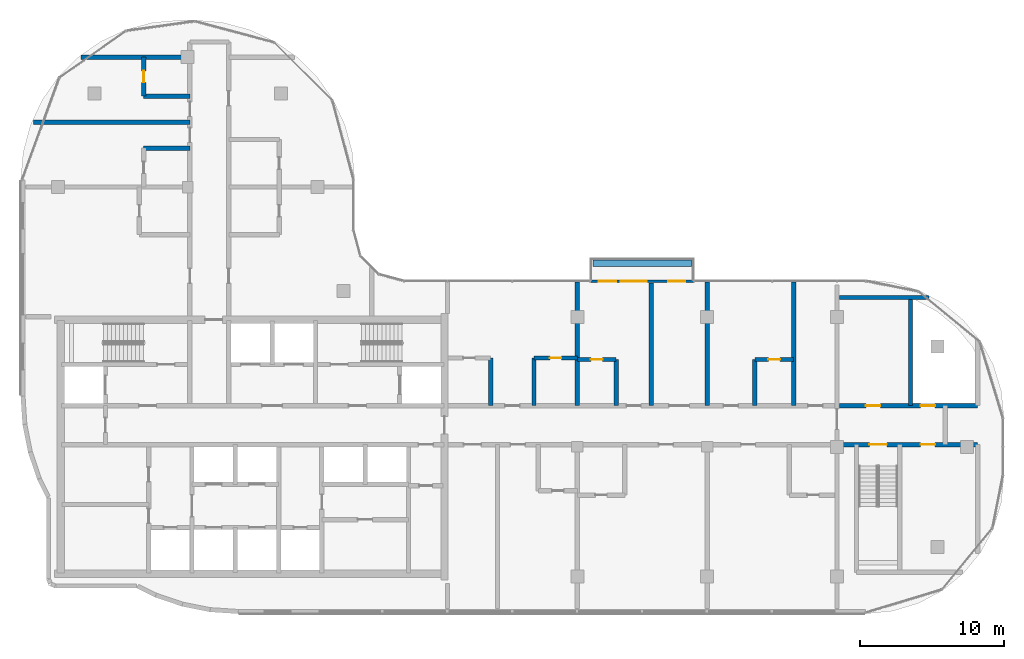
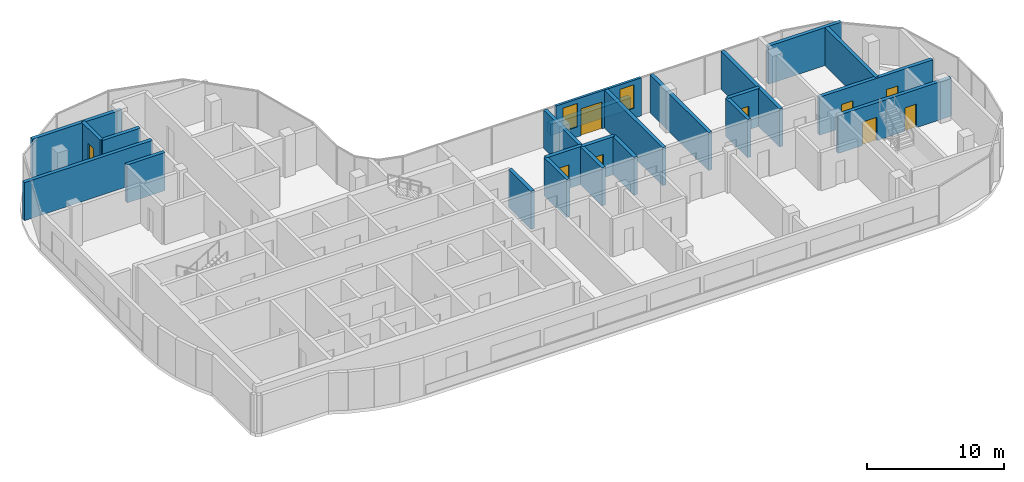
# One storey, part 12 of 18: 22 walls, 9 doors, 2 windows, 11 openings.
"""IFC4 building model written with IfcOpenShell, lengths in metres."""

import ifcopenshell
import ifcopenshell.guid

model = None  # the IFC model being written
_history = None  # IfcOwnerHistory: only IFC2X3 demands one
_inside = {}  # id of a spatial element -> (the spatial element, [elements in it])
_under = {}  # id of a project, library or spatial element -> (it, [spatial elements below it])
_declared = {}  # id of a project -> (the project, [libraries it declares])
_typed = {}  # id of a type object -> (the type object, [elements of that type])
_made_of = {}  # id of a material, layer set ... -> (it, [elements and type objects made of it])


def new_model(schema):
    """Start an empty IFC model of exactly this schema.

    Asked for "IFC4X3", IfcOpenShell would pick the latest addendum, in which some entities
    have other attributes; the version numbers below select the first issue.
    IFC2X3 requires an IfcOwnerHistory on every rooted entity: one is made here for all.
    """
    global model, _history
    if schema == "IFC4X3":
        model = ifcopenshell.file(schema_version=(4, 3, 0, 0))
    else:
        model = ifcopenshell.file(schema=schema)
    _inside.clear()
    _under.clear()
    _declared.clear()
    _typed.clear()
    _made_of.clear()
    _history = None
    if model.schema == "IFC2X3":
        org = make("IfcOrganization", Name="unknown")
        user = make(
            "IfcPersonAndOrganization",
            ThePerson=make("IfcPerson", FamilyName="unknown"),
            TheOrganization=org,
        )
        app = make(
            "IfcApplication",
            ApplicationDeveloper=org,
            Version="unknown",
            ApplicationFullName="unknown",
            ApplicationIdentifier="unknown",
        )
        _history = make(
            "IfcOwnerHistory",
            OwningUser=user,
            OwningApplication=app,
            ChangeAction="ADDED",
            CreationDate=0,
        )
    return model


def make(cls, **values):
    """One entity of the class cls with the attributes given. An attribute that is None is left unset."""
    return model.create_entity(
        cls, **{name: value for name, value in values.items() if value is not None}
    )


def rooted(cls, **values):
    """An entity with a GlobalId (a new one), such as an element, a storey or a relation."""
    return make(cls, GlobalId=ifcopenshell.guid.new(), OwnerHistory=_history, **values)


def si_unit(unit_type, name, prefix=None):
    """IfcSIUnit, for example si_unit("LENGTHUNIT", "METRE", prefix="MILLI")."""
    return make("IfcSIUnit", UnitType=unit_type, Prefix=prefix, Name=name)


def assignment(units):
    """IfcUnitAssignment: the units of a project."""
    return None if units is None else make("IfcUnitAssignment", Units=units)


def point(xyz):
    """IfcCartesianPoint."""
    return None if xyz is None else make("IfcCartesianPoint", Coordinates=xyz)


def direction(xyz):
    """IfcDirection."""
    return None if xyz is None else make("IfcDirection", DirectionRatios=xyz)


def frame(location, z_axis=None, x_axis=None):
    """IfcAxis2Placement3D, a coordinate frame: its origin and axes. An axis left out is left unset."""
    return make(
        "IfcAxis2Placement3D",
        Location=point(location),
        Axis=direction(z_axis),
        RefDirection=direction(x_axis),
    )


def frame_2d(location, x_axis=None):
    """IfcAxis2Placement2D, a coordinate frame in the plane: its origin and x axis."""
    return make(
        "IfcAxis2Placement2D", Location=point(location), RefDirection=direction(x_axis)
    )


def origin():
    """The frame at (0, 0, 0) with its axes left unset."""
    return frame((0.0, 0.0, 0.0))


def origin_2d():
    """The frame at (0, 0) in the plane with its x axis left unset."""
    return frame_2d((0.0, 0.0))


def place(relative_to, where):
    """IfcLocalPlacement: puts the frame where relative to a parent placement (None: the world)."""
    return make(
        "IfcLocalPlacement", PlacementRelTo=relative_to, RelativePlacement=where
    )


def context(
    kind, dimensions, precision=None, world=None, true_north=None, identifier=None
):
    """IfcGeometricRepresentationContext, for example the 3D "Model" context."""
    return make(
        "IfcGeometricRepresentationContext",
        ContextIdentifier=identifier,
        ContextType=kind,
        CoordinateSpaceDimension=dimensions,
        Precision=precision,
        WorldCoordinateSystem=world,
        TrueNorth=true_north,
    )


def subcontext(parent, identifier, kind, view, scale=None):
    """IfcGeometricRepresentationSubContext, for example "Body" below "Model"."""
    return make(
        "IfcGeometricRepresentationSubContext",
        ContextIdentifier=identifier,
        ContextType=kind,
        ParentContext=parent,
        TargetScale=scale,
        TargetView=view,
    )


def project(units=None, contexts=None):
    """IfcProject with its units and contexts."""
    return rooted(
        "IfcProject",
        Name="project",
        RepresentationContexts=contexts,
        UnitsInContext=assignment(units),
    )


def spatial(cls, under=None, at=None, **own):
    """A site, building, storey or space (cls), placed at a placement, below another one or the project."""
    s = rooted(cls, ObjectPlacement=at, **own)
    if under is not None:
        _under.setdefault(under.id(), (under, []))[1].append(s)
    return s


def profile(cls, at=None, kind="AREA", **sizes):
    """A parametric profile (cls). Its sizes go by their IFC names, for example OverallWidth=200.0."""
    return make(cls, ProfileType=kind, Position=at, **sizes)


def rectangle(**sizes):
    """IfcRectangleProfileDef."""
    return profile("IfcRectangleProfileDef", **sizes)


def extrude(swept, where, along, depth):
    """IfcExtrudedAreaSolid: the profile swept, set in the frame where, extruded along a direction by depth."""
    return make(
        "IfcExtrudedAreaSolid",
        SweptArea=swept,
        Position=where,
        ExtrudedDirection=direction(along),
        Depth=depth,
    )


def shape(context_of_items, identifier, shape_type, items):
    """IfcShapeRepresentation: the items that make up one representation, for example the "Body"."""
    return make(
        "IfcShapeRepresentation",
        ContextOfItems=context_of_items,
        RepresentationIdentifier=identifier,
        RepresentationType=shape_type,
        Items=items,
    )


def material(Name=None, Category=None):
    """IfcMaterial."""
    return make("IfcMaterial", Name=Name, Category=Category)


def layer(
    of_material, thickness, ventilated=None, Name=None, Category=None, Priority=None
):
    """IfcMaterialLayer: one layer of a wall or slab, of a material (None: an air gap)."""
    return make(
        "IfcMaterialLayer",
        Material=of_material,
        LayerThickness=thickness,
        IsVentilated=ventilated,
        Name=Name,
        Category=Category,
        Priority=Priority,
    )


def layer_set(layers, Name=None):
    """IfcMaterialLayerSet."""
    return make("IfcMaterialLayerSet", MaterialLayers=layers, LayerSetName=Name)


def made_of(thing, what):
    """Note that an element or type object is made of a material, layer set ...; save() writes the relation."""
    if what is not None:
        _made_of.setdefault(what.id(), (what, []))[1].append(thing)
    return thing


def type_object(cls, material=None, **own):
    """A type object (cls), such as IfcWallType, which elements share."""
    return made_of(rooted(cls, **own), material)


def element(
    cls,
    number,
    at=None,
    inside=None,
    cuts=None,
    type_object=None,
    material=None,
    context=None,
    identifier="Body",
    shape_type=None,
    held_by="IfcProductDefinitionShape",
    body=None,
    shapes=None,
    **own,
):
    """One element of the class cls, such as IfcWall. Its Tag is "e" and its number.

    at: its placement. inside: the storey or other place that contains it. cuts: it is an
    opening in that element (IfcRelVoidsElement). A single representation is given by context,
    identifier, shape_type and body (its items); several are given by shapes. held_by: the class
    of the entity that holds the representations. save() writes the other relations.
    """
    e = rooted(cls, Tag="e%d" % number, ObjectPlacement=at, **own)
    if body is not None:
        shapes = [shape(context, identifier, shape_type, body)]
    if shapes is not None:
        e.Representation = make(held_by, Representations=shapes)
    if inside is not None:
        _inside.setdefault(inside.id(), (inside, []))[1].append(e)
    if cuts is not None:
        rooted(
            "IfcRelVoidsElement", RelatingBuildingElement=cuts, RelatedOpeningElement=e
        )
    if type_object is not None:
        _typed.setdefault(type_object.id(), (type_object, []))[1].append(e)
    return made_of(e, material)


def fill(opening, filler):
    """IfcRelFillsElement: the door or window that sits in an opening."""
    return rooted(
        "IfcRelFillsElement",
        RelatingOpeningElement=opening,
        RelatedBuildingElement=filler,
    )


def aggregate(whole, parts):
    """IfcRelAggregates: a whole, such as a stair, and the parts it consists of."""
    return rooted("IfcRelAggregates", RelatingObject=whole, RelatedObjects=parts)


def save(model, path):
    """Write the relations noted so far, then the file.

    IfcRelAggregates (storeys below a building ...), IfcRelContainedInSpatialStructure (elements
    in a storey), IfcRelDefinesByType, IfcRelAssociatesMaterial and IfcRelDeclares: one each for
    every whole, place, type object, material and project.
    """
    for whole, parts in _under.values():
        aggregate(whole, parts)
    for where, things in _inside.values():
        rooted(
            "IfcRelContainedInSpatialStructure",
            RelatedElements=things,
            RelatingStructure=where,
        )
    for kind, things in _typed.values():
        rooted("IfcRelDefinesByType", RelatedObjects=things, RelatingType=kind)
    for what, things in _made_of.values():
        rooted("IfcRelAssociatesMaterial", RelatedObjects=things, RelatingMaterial=what)
    for by, libraries in _declared.values():
        rooted("IfcRelDeclares", RelatingContext=by, RelatedDefinitions=libraries)
    model.write(path)


model = new_model("IFC4")

# Units and contexts
model_context = context("Model", 3, precision=1e-05, world=origin(), true_north=direction((0.0, 1.0)))
body_context = subcontext(model_context, "Body", "Model", "MODEL_VIEW")
ifc_project = project(units=[si_unit("LENGTHUNIT", "METRE"), si_unit("AREAUNIT", "SQUARE_METRE"), si_unit("VOLUMEUNIT", "CUBIC_METRE"), si_unit("PLANEANGLEUNIT", "RADIAN"), si_unit("MASSUNIT", "GRAM", prefix="KILO")], contexts=[model_context])

# Site, building, storey
site_placement = place(None, origin())
site = spatial("IfcSite", under=ifc_project, at=site_placement, CompositionType="ELEMENT")
building_placement = place(site_placement, origin())
building = spatial("IfcBuilding", under=site, at=building_placement, Name="Ogive Portal Towers", CompositionType="ELEMENT")
storey_placement = place(building_placement, frame((0.0, 0.0, 236.5)))
storey = spatial("IfcBuildingStorey", under=building, at=storey_placement, Name="L59", CompositionType="ELEMENT", Elevation=236.5)

# Wall, openings, door, windows
ifc_material_1 = material(Name="Limestone cladding on lightweight block wall", Category="masonry")
ifc_layer_1 = layer(ifc_material_1, 0.199951171875)
ifc_layer_set_1 = layer_set([ifc_layer_1], Name="BALCONY BAY WALL 200")
wall_type_1 = type_object("IfcWallType", Name="BALCONY BAY WALL 200", PredefinedType="SOLIDWALL", material=ifc_layer_set_1)
wall_1_placement = place(storey_placement, frame((68.39990234375, 41.97509765625, 0.0), z_axis=(0.0, 0.0, 1.0), x_axis=(1.0, 0.0, 0.0)))
wall_1 = element("IfcWall", 1, at=wall_1_placement, inside=storey, type_object=wall_type_1, Name="A:L59:f16:bay0", PredefinedType="SOLIDWALL", context=body_context, shape_type="SweptSolid", body=[
    extrude(rectangle(XDim=7.2001953125, YDim=0.199951171875, at=frame_2d((3.60009765625, 0.0))), origin(), (0.0, 0.0, 1.0), 3.39990234375),
])
opening_1_placement = place(wall_1_placement, frame((2.10009765625, 0.0, 0.0)))
opening_1 = element("IfcOpeningElement", 2, at=opening_1_placement, cuts=wall_1, Name="Opening DX054", PredefinedType="OPENING", context=body_context, shape_type="SweptSolid", body=[
    extrude(rectangle(XDim=1.800048828125, YDim=2.39990234375, at=frame_2d((0.89990234375, 1.199951171875))), frame((0.0, 0.10986328125, 0.0), z_axis=(0.0, -1.0, 0.0), x_axis=(1.0, 0.0, 0.0)), (0.0, 0.0, 1.0), 0.219970703125),
])
opening_2_placement = place(wall_1_placement, frame((5.39990234375, 0.0, 0.89990234375)))
opening_2 = element("IfcOpeningElement", 3, at=opening_2_placement, cuts=wall_1, Name="Opening WN2", PredefinedType="OPENING", context=body_context, shape_type="SweptSolid", body=[
    extrude(rectangle(XDim=1.199951171875, YDim=2.10009765625, at=frame_2d((0.60009765625, 1.050048828125))), frame((0.0, 0.10986328125, 0.0), z_axis=(0.0, -1.0, 0.0), x_axis=(1.0, 0.0, 0.0)), (0.0, 0.0, 1.0), 0.219970703125),
])
opening_3_placement = place(wall_1_placement, frame((0.60009765625, 0.0, 0.89990234375)))
opening_3 = element("IfcOpeningElement", 4, at=opening_3_placement, cuts=wall_1, Name="Opening WN2", PredefinedType="OPENING", context=body_context, shape_type="SweptSolid", body=[
    extrude(rectangle(XDim=1.199951171875, YDim=2.10009765625, at=frame_2d((0.60009765625, 1.050048828125))), frame((0.0, 0.10986328125, 0.0), z_axis=(0.0, -1.0, 0.0), x_axis=(1.0, 0.0, 0.0)), (0.0, 0.0, 1.0), 0.219970703125),
])
ifc_material_2 = material(Name="Aluminium 6063 anodised", Category="aluminium")
door_type_1 = type_object("IfcDoorType", Name="BALCONY DOOR 1800x2400", OperationType="DOUBLE_DOOR_SINGLE_SWING", PredefinedType="DOOR", material=ifc_material_2)
door_1_placement = place(opening_1_placement, origin())
door_1 = element("IfcDoor", 5, at=door_1_placement, inside=storey, type_object=door_type_1, Name="A:L59:f16:bay0/o0", OperationType="SINGLE_SWING_LEFT", OverallHeight=2.39990234375, OverallWidth=1.800048828125, PredefinedType="DOOR", context=body_context, shape_type="SweptSolid", body=[
    extrude(rectangle(XDim=1.800048828125, YDim=2.39990234375, at=frame_2d((0.89990234375, 1.199951171875))), frame((0.0, 0.02490234375, 0.0), z_axis=(0.0, -1.0, 0.0), x_axis=(1.0, 0.0, 0.0)), (0.0, 0.0, 1.0), 0.050048828125),
])
fill(opening_1, door_1)
ifc_material_3 = material(Name="Glass, clear low-iron insulated glazing", Category="glass")
window_type = type_object("IfcWindowType", Name="WINDOW BALCONY BAY 1200x2100", PartitioningType="SINGLE_PANEL", PredefinedType="WINDOW", material=ifc_material_3)
window_1_placement = place(opening_2_placement, origin())
window_1 = element("IfcWindow", 6, at=window_1_placement, inside=storey, type_object=window_type, Name="A:L59:f16:bay0/o1", OverallHeight=2.10009765625, OverallWidth=1.199951171875, PartitioningType="SINGLE_PANEL", PredefinedType="WINDOW", context=body_context, shape_type="SweptSolid", body=[
    extrude(rectangle(XDim=1.199951171875, YDim=2.10009765625, at=frame_2d((0.60009765625, 1.050048828125))), frame((0.0, 0.030029296875, 0.0), z_axis=(0.0, -1.0, 0.0), x_axis=(1.0, 0.0, 0.0)), (0.0, 0.0, 1.0), 0.06005859375),
])
fill(opening_2, window_1)
window_2_placement = place(opening_3_placement, origin())
window_2 = element("IfcWindow", 7, at=window_2_placement, inside=storey, type_object=window_type, Name="A:L59:f16:bay0/o2", OverallHeight=2.10009765625, OverallWidth=1.199951171875, PartitioningType="SINGLE_PANEL", PredefinedType="WINDOW", context=body_context, shape_type="SweptSolid", body=[
    extrude(rectangle(XDim=1.199951171875, YDim=2.10009765625, at=frame_2d((0.60009765625, 1.050048828125))), frame((0.0, 0.030029296875, 0.0), z_axis=(0.0, -1.0, 0.0), x_axis=(1.0, 0.0, 0.0)), (0.0, 0.0, 1.0), 0.06005859375),
])
fill(opening_3, window_2)

# Wall
ifc_material_4 = material(Name="Concrete C40/50", Category="concrete")
ifc_layer_2 = layer(ifc_material_4, 0.449951171875)
ifc_layer_set_2 = layer_set([ifc_layer_2], Name="PLANTER WALL 450")
wall_type_2 = type_object("IfcWallType", Name="PLANTER WALL 450", PredefinedType="SOLIDWALL", material=ifc_layer_set_2)
wall_2_placement = place(storey_placement, frame((72.0, 43.22998046875, 0.0), z_axis=(0.0, 0.0, 1.0), x_axis=(1.0, 0.0, 0.0)))
element("IfcWall", 8, at=wall_2_placement, inside=storey, type_object=wall_type_2, Name="Planter T2", PredefinedType="SOLIDWALL", context=body_context, shape_type="SweptSolid", body=[
    extrude(rectangle(XDim=6.800048828125, YDim=0.449951171875, at=origin_2d()), origin(), (0.0, 0.0, 1.0), 1.0),
])

# Wall, openings, doors
ifc_material_5 = material(Name="Concrete C50/60", Category="concrete")
ifc_layer_3 = layer(ifc_material_5, 0.300048828125)
ifc_layer_set_3 = layer_set([ifc_layer_3], Name="STAIR WALL 300 C50")
wall_type_3 = type_object("IfcWallType", Name="STAIR WALL 300 C50", PredefinedType="SHEAR", material=ifc_layer_set_3)
wall_3_placement = place(storey_placement, frame((85.669921875, 30.64990234375, 0.0), z_axis=(0.0, 0.0, 1.0), x_axis=(1.0, 0.0, 0.0)))
wall_3 = element("IfcWall", 9, at=wall_3_placement, inside=storey, type_object=wall_type_3, Name="Stair wall ST-A4 L59", PredefinedType="SHEAR", context=body_context, shape_type="SweptSolid", body=[
    extrude(rectangle(XDim=9.580078125, YDim=0.300048828125, at=frame_2d((4.7900390625, 0.0))), origin(), (0.0, 0.0, 1.0), 3.39990234375),
])
opening_4_placement = place(wall_3_placement, frame((2.080078125, 0.0, 0.0)))
opening_4 = element("IfcOpeningElement", 10, at=opening_4_placement, cuts=wall_3, Name="Opening D26-052", PredefinedType="OPENING", context=body_context, shape_type="SweptSolid", body=[
    extrude(rectangle(XDim=1.199951171875, YDim=2.10009765625, at=frame_2d((0.60009765625, 1.050048828125))), frame((0.0, 0.16015625, 0.0), z_axis=(0.0, -1.0, 0.0), x_axis=(1.0, 0.0, 0.0)), (0.0, 0.0, 1.0), 0.320068359375),
])
opening_5_placement = place(wall_3_placement, frame((5.6298828125, 0.0, 0.0)))
opening_5 = element("IfcOpeningElement", 11, at=opening_5_placement, cuts=wall_3, Name="Opening D26-055", PredefinedType="OPENING", context=body_context, shape_type="SweptSolid", body=[
    extrude(rectangle(XDim=1.0, YDim=2.10009765625, at=frame_2d((0.5, 1.050048828125))), frame((0.0, 0.16015625, 0.0), z_axis=(0.0, -1.0, 0.0), x_axis=(1.0, 0.0, 0.0)), (0.0, 0.0, 1.0), 0.320068359375),
])
ifc_material_6 = material(Name="Steel fire door", Category="steel")
door_type_2 = type_object("IfcDoorType", Name="DT-SERVICE-1000x2100-FD90S", OperationType="SINGLE_SWING_LEFT", PredefinedType="DOOR", material=ifc_material_6)
door_2_placement = place(opening_5_placement, origin())
door_2 = element("IfcDoor", 12, at=door_2_placement, inside=storey, type_object=door_type_2, Name="Door D26-055", OperationType="SINGLE_SWING_LEFT", OverallHeight=2.10009765625, OverallWidth=1.0, PredefinedType="DOOR", context=body_context, shape_type="SweptSolid", body=[
    extrude(rectangle(XDim=1.0, YDim=2.10009765625, at=frame_2d((0.5, 1.050048828125))), frame((0.0, 0.02490234375, 0.0), z_axis=(0.0, -1.0, 0.0), x_axis=(1.0, 0.0, 0.0)), (0.0, 0.0, 1.0), 0.050048828125),
])
fill(opening_5, door_2)
door_type_3 = type_object("IfcDoorType", Name="DT-STAIR-1200x2100-FD90S", OperationType="SINGLE_SWING_LEFT", PredefinedType="DOOR", material=ifc_material_6)
door_3_placement = place(opening_4_placement, origin())
door_3 = element("IfcDoor", 13, at=door_3_placement, inside=storey, type_object=door_type_3, Name="Door D26-052", OperationType="SINGLE_SWING_LEFT", OverallHeight=2.10009765625, OverallWidth=1.199951171875, PredefinedType="DOOR", context=body_context, shape_type="SweptSolid", body=[
    extrude(rectangle(XDim=1.199951171875, YDim=2.10009765625, at=frame_2d((0.60009765625, 1.050048828125))), frame((0.0, 0.02490234375, 0.0), z_axis=(0.0, -1.0, 0.0), x_axis=(1.0, 0.0, 0.0)), (0.0, 0.0, 1.0), 0.050048828125),
])
fill(opening_4, door_3)

ifc_material_7 = material(Name="Gypsum board partition on steel studs", Category="steel")
ifc_layer_4 = layer(ifc_material_7, 0.300048828125)
ifc_layer_set_4 = layer_set([ifc_layer_4], Name="WT-PART-300-EI 120")
wall_type_4 = type_object("IfcWallType", Name="WT-PART-300-EI 120", PredefinedType="PARTITIONING", material=ifc_layer_set_4)
wall_4_placement = place(storey_placement, frame((85.669921875, 33.35009765625, 0.0), z_axis=(0.0, 0.0, 1.0), x_axis=(1.0, 0.0, 0.0)))
wall_4 = element("IfcWall", 14, at=wall_4_placement, inside=storey, type_object=wall_type_4, Name="Wall L59:w008", PredefinedType="PARTITIONING", context=body_context, shape_type="SweptSolid", body=[
    extrude(rectangle(XDim=9.580078125, YDim=0.300048828125, at=frame_2d((4.7900390625, 0.0))), origin(), (0.0, 0.0, 1.0), 3.39990234375),
])
opening_6_placement = place(wall_4_placement, frame((1.830078125, 0.0, 0.0)))
opening_6 = element("IfcOpeningElement", 15, at=opening_6_placement, cuts=wall_4, Name="Opening D26-053", PredefinedType="OPENING", context=body_context, shape_type="SweptSolid", body=[
    extrude(rectangle(XDim=1.0, YDim=2.10009765625, at=frame_2d((0.5, 1.050048828125))), frame((0.0, 0.16015625, 0.0), z_axis=(0.0, -1.0, 0.0), x_axis=(1.0, 0.0, 0.0)), (0.0, 0.0, 1.0), 0.320068359375),
])
opening_7_placement = place(wall_4_placement, frame((5.6298828125, 0.0, 0.0)))
opening_7 = element("IfcOpeningElement", 16, at=opening_7_placement, cuts=wall_4, Name="Opening D26-054", PredefinedType="OPENING", context=body_context, shape_type="SweptSolid", body=[
    extrude(rectangle(XDim=1.0, YDim=2.10009765625, at=frame_2d((0.5, 1.050048828125))), frame((0.0, 0.16015625, 0.0), z_axis=(0.0, -1.0, 0.0), x_axis=(1.0, 0.0, 0.0)), (0.0, 0.0, 1.0), 0.320068359375),
])
door_4_placement = place(opening_6_placement, origin())
door_4 = element("IfcDoor", 17, at=door_4_placement, inside=storey, type_object=door_type_2, Name="Door D26-053", OperationType="SINGLE_SWING_LEFT", OverallHeight=2.10009765625, OverallWidth=1.0, PredefinedType="DOOR", context=body_context, shape_type="SweptSolid", body=[
    extrude(rectangle(XDim=1.0, YDim=2.10009765625, at=frame_2d((0.5, 1.050048828125))), frame((0.0, 0.02490234375, 0.0), z_axis=(0.0, -1.0, 0.0), x_axis=(1.0, 0.0, 0.0)), (0.0, 0.0, 1.0), 0.050048828125),
])
fill(opening_6, door_4)
door_5_placement = place(opening_7_placement, origin())
door_5 = element("IfcDoor", 18, at=door_5_placement, inside=storey, type_object=door_type_2, Name="Riser access door D26-054", OperationType="SINGLE_SWING_RIGHT", OverallHeight=2.10009765625, OverallWidth=1.0, PredefinedType="DOOR", context=body_context, shape_type="SweptSolid", body=[
    extrude(rectangle(XDim=1.0, YDim=2.10009765625, at=frame_2d((0.5, 1.050048828125))), frame((0.0, 0.02490234375, 0.0), z_axis=(0.0, -1.0, 0.0), x_axis=(1.0, 0.0, 0.0)), (0.0, 0.0, 1.0), 0.050048828125),
])
fill(opening_7, door_5)

# Wall, opening, door
ifc_layer_5 = layer(ifc_material_7, 0.300048828125)
ifc_layer_set_5 = layer_set([ifc_layer_5], Name="WT-PART-300-EI 60")
wall_type_5 = type_object("IfcWallType", Name="WT-PART-300-EI 60", PredefinedType="PARTITIONING", material=ifc_layer_set_5)
wall_5_placement = place(storey_placement, frame((67.5, 36.550048828125, 0.0), z_axis=(0.0, 0.0, 1.0), x_axis=(1.0, 0.0, 0.0)))
wall_5 = element("IfcWall", 19, at=wall_5_placement, inside=storey, type_object=wall_type_5, Name="Wall L59:w009", PredefinedType="PARTITIONING", context=body_context, shape_type="SweptSolid", body=[
    extrude(rectangle(XDim=2.699951171875, YDim=0.300048828125, at=frame_2d((1.35009765625, 0.0))), origin(), (0.0, 0.0, 1.0), 3.39990234375),
])
opening_8_placement = place(wall_5_placement, frame((0.949951171875, 0.0, 0.0)))
opening_8 = element("IfcOpeningElement", 20, at=opening_8_placement, cuts=wall_5, Name="Opening D26-032", PredefinedType="OPENING", context=body_context, shape_type="SweptSolid", body=[
    extrude(rectangle(XDim=0.800048828125, YDim=2.10009765625, at=frame_2d((0.39990234375, 1.050048828125))), frame((0.0, 0.16015625, 0.0), z_axis=(0.0, -1.0, 0.0), x_axis=(1.0, 0.0, 0.0)), (0.0, 0.0, 1.0), 0.320068359375),
])
door_type_4 = type_object("IfcDoorType", Name="DT-BATH-800x2100-FD60S", OperationType="SINGLE_SWING_LEFT", PredefinedType="DOOR", material=ifc_material_6)
door_6_placement = place(opening_8_placement, origin())
door_6 = element("IfcDoor", 21, at=door_6_placement, inside=storey, type_object=door_type_4, Name="Door D26-032", OperationType="SINGLE_SWING_LEFT", OverallHeight=2.10009765625, OverallWidth=0.800048828125, PredefinedType="DOOR", context=body_context, shape_type="SweptSolid", body=[
    extrude(rectangle(XDim=0.800048828125, YDim=2.10009765625, at=frame_2d((0.39990234375, 1.050048828125))), frame((0.0, 0.02490234375, 0.0), z_axis=(0.0, -1.0, 0.0), x_axis=(1.0, 0.0, 0.0)), (0.0, 0.0, 1.0), 0.050048828125),
])
fill(opening_8, door_6)

wall_6_placement = place(storey_placement, frame((79.800048828125, 36.550048828125, 0.0), z_axis=(0.0, 0.0, 1.0), x_axis=(1.0, 0.0, 0.0)))
wall_6 = element("IfcWall", 22, at=wall_6_placement, inside=storey, type_object=wall_type_5, Name="Wall L59:w010", PredefinedType="PARTITIONING", context=body_context, shape_type="SweptSolid", body=[
    extrude(rectangle(XDim=2.699951171875, YDim=0.300048828125, at=frame_2d((1.35009765625, 0.0))), origin(), (0.0, 0.0, 1.0), 3.39990234375),
])
opening_9_placement = place(wall_6_placement, frame((0.949951171875, 0.0, 0.0)))
opening_9 = element("IfcOpeningElement", 23, at=opening_9_placement, cuts=wall_6, Name="Opening D26-037", PredefinedType="OPENING", context=body_context, shape_type="SweptSolid", body=[
    extrude(rectangle(XDim=0.800048828125, YDim=2.10009765625, at=frame_2d((0.39990234375, 1.050048828125))), frame((0.0, 0.16015625, 0.0), z_axis=(0.0, -1.0, 0.0), x_axis=(1.0, 0.0, 0.0)), (0.0, 0.0, 1.0), 0.320068359375),
])
door_7_placement = place(opening_9_placement, origin())
door_7 = element("IfcDoor", 24, at=door_7_placement, inside=storey, type_object=door_type_4, Name="Door D26-037", OperationType="SINGLE_SWING_LEFT", OverallHeight=2.10009765625, OverallWidth=0.800048828125, PredefinedType="DOOR", context=body_context, shape_type="SweptSolid", body=[
    extrude(rectangle(XDim=0.800048828125, YDim=2.10009765625, at=frame_2d((0.39990234375, 1.050048828125))), frame((0.0, 0.02490234375, 0.0), z_axis=(0.0, -1.0, 0.0), x_axis=(1.0, 0.0, 0.0)), (0.0, 0.0, 1.0), 0.050048828125),
])
fill(opening_9, door_7)

wall_7_placement = place(storey_placement, frame((64.5, 36.64990234375, 0.0), z_axis=(0.0, 0.0, 1.0), x_axis=(1.0, 0.0, 0.0)))
wall_7 = element("IfcWall", 25, at=wall_7_placement, inside=storey, type_object=wall_type_5, Name="Wall L59:w012", PredefinedType="PARTITIONING", context=body_context, shape_type="SweptSolid", body=[
    extrude(rectangle(XDim=3.0, YDim=0.300048828125, at=frame_2d((1.5, 0.0))), origin(), (0.0, 0.0, 1.0), 3.39990234375),
])
opening_10_placement = place(wall_7_placement, frame((1.10009765625, 0.0, 0.0)))
opening_10 = element("IfcOpeningElement", 26, at=opening_10_placement, cuts=wall_7, Name="Opening D26-027", PredefinedType="OPENING", context=body_context, shape_type="SweptSolid", body=[
    extrude(rectangle(XDim=0.800048828125, YDim=2.10009765625, at=frame_2d((0.39990234375, 1.050048828125))), frame((0.0, 0.16015625, 0.0), z_axis=(0.0, -1.0, 0.0), x_axis=(1.0, 0.0, 0.0)), (0.0, 0.0, 1.0), 0.320068359375),
])
door_8_placement = place(opening_10_placement, origin())
door_8 = element("IfcDoor", 27, at=door_8_placement, inside=storey, type_object=door_type_4, Name="Door D26-027", OperationType="SINGLE_SWING_RIGHT", OverallHeight=2.10009765625, OverallWidth=0.800048828125, PredefinedType="DOOR", context=body_context, shape_type="SweptSolid", body=[
    extrude(rectangle(XDim=0.800048828125, YDim=2.10009765625, at=frame_2d((0.39990234375, 1.050048828125))), frame((0.0, 0.02490234375, 0.0), z_axis=(0.0, -1.0, 0.0), x_axis=(1.0, 0.0, 0.0)), (0.0, 0.0, 1.0), 0.050048828125),
])
fill(opening_10, door_8)

# Walls
wall_8_placement = place(storey_placement, frame((85.669921875, 40.85009765625, 0.0), z_axis=(0.0, 0.0, 1.0), x_axis=(1.0, 0.0, 0.0)))
element("IfcWall", 28, at=wall_8_placement, inside=storey, type_object=wall_type_5, Name="Wall L59:w014", PredefinedType="PARTITIONING", context=body_context, shape_type="SweptSolid", body=[
    extrude(rectangle(XDim=6.2001953125, YDim=0.300048828125, at=frame_2d((3.10009765625, 0.0))), origin(), (0.0, 0.0, 1.0), 3.39990234375),
])
wall_9_placement = place(storey_placement, frame((37.449951171875, 51.199951171875, 0.0), z_axis=(0.0, 0.0, 1.0), x_axis=(1.0, 0.0, 0.0)))
element("IfcWall", 29, at=wall_9_placement, inside=storey, type_object=wall_type_5, Name="Wall L59:w019", PredefinedType="PARTITIONING", context=body_context, shape_type="SweptSolid", body=[
    extrude(rectangle(XDim=3.199951171875, YDim=0.300048828125, at=frame_2d((1.60009765625, 0.0))), origin(), (0.0, 0.0, 1.0), 3.39990234375),
])
wall_10_placement = place(storey_placement, frame((29.81201171875, 53.0, 0.0), z_axis=(0.0, 0.0, 1.0), x_axis=(1.0, 0.0, 0.0)))
element("IfcWall", 30, at=wall_10_placement, inside=storey, type_object=wall_type_5, Name="Wall L59:w021", PredefinedType="PARTITIONING", context=body_context, shape_type="SweptSolid", body=[
    extrude(rectangle(XDim=10.837890625, YDim=0.300048828125, at=frame_2d((5.4189453125, 0.0))), origin(), (0.0, 0.0, 1.0), 3.39990234375),
])
wall_11_placement = place(storey_placement, frame((37.449951171875, 54.800048828125, 0.0), z_axis=(0.0, 0.0, 1.0), x_axis=(1.0, 0.0, 0.0)))
element("IfcWall", 31, at=wall_11_placement, inside=storey, type_object=wall_type_5, Name="Wall L59:w022", PredefinedType="PARTITIONING", context=body_context, shape_type="SweptSolid", body=[
    extrude(rectangle(XDim=3.199951171875, YDim=0.300048828125, at=frame_2d((1.60009765625, 0.0))), origin(), (0.0, 0.0, 1.0), 3.39990234375),
])
wall_12_placement = place(storey_placement, frame((33.087890625, 57.5, 0.0), z_axis=(0.0, 0.0, 1.0), x_axis=(1.0, 0.0, 0.0)))
element("IfcWall", 32, at=wall_12_placement, inside=storey, type_object=wall_type_5, Name="Wall L59:w023", PredefinedType="PARTITIONING", context=body_context, shape_type="SweptSolid", body=[
    extrude(rectangle(XDim=7.56201171875, YDim=0.300048828125, at=frame_2d((3.781005859375, 0.0))), origin(), (0.0, 0.0, 1.0), 3.39990234375),
])

# Wall, opening, door
wall_13_placement = place(storey_placement, frame((37.449951171875, 54.800048828125, 0.0), z_axis=(0.0, 0.0, 1.0), x_axis=(0.0, 1.0, 0.0)))
wall_13 = element("IfcWall", 33, at=wall_13_placement, inside=storey, type_object=wall_type_5, Name="Wall L59:w028", PredefinedType="PARTITIONING", context=body_context, shape_type="SweptSolid", body=[
    extrude(rectangle(XDim=2.699951171875, YDim=0.300048828125, at=frame_2d((1.35009765625, 0.0))), origin(), (0.0, 0.0, 1.0), 3.39990234375),
])
opening_11_placement = place(wall_13_placement, frame((0.949951171875, 0.0, 0.0)))
opening_11 = element("IfcOpeningElement", 34, at=opening_11_placement, cuts=wall_13, Name="Opening D26-050", PredefinedType="OPENING", context=body_context, shape_type="SweptSolid", body=[
    extrude(rectangle(XDim=0.800048828125, YDim=2.10009765625, at=frame_2d((0.39990234375, 1.050048828125))), frame((0.0, 0.16015625, 0.0), z_axis=(0.0, -1.0, 0.0), x_axis=(1.0, 0.0, 0.0)), (0.0, 0.0, 1.0), 0.320068359375),
])
door_9_placement = place(opening_11_placement, origin())
door_9 = element("IfcDoor", 35, at=door_9_placement, inside=storey, type_object=door_type_4, Name="Door D26-050", OperationType="SINGLE_SWING_LEFT", OverallHeight=2.10009765625, OverallWidth=0.800048828125, PredefinedType="DOOR", context=body_context, shape_type="SweptSolid", body=[
    extrude(rectangle(XDim=0.800048828125, YDim=2.10009765625, at=frame_2d((0.39990234375, 1.050048828125))), frame((0.0, 0.02490234375, 0.0), z_axis=(0.0, -1.0, 0.0), x_axis=(1.0, 0.0, 0.0)), (0.0, 0.0, 1.0), 0.050048828125),
])
fill(opening_11, door_9)

# Walls
for number, where, z_axis, x_axis, name in (
    (36, (61.5, 33.35009765625, 0.0), (0.0, 0.0, 1.0), (0.0, 1.0, 0.0), "Wall L59:w035"),
    (37, (64.5, 33.35009765625, 0.0), (0.0, 0.0, 1.0), (0.0, 1.0, 0.0), "Wall L59:w037"),
):
    element("IfcWall", number, at=place(storey_placement, frame(where, z_axis=z_axis, x_axis=x_axis)), inside=storey, type_object=wall_type_5, Name=name, PredefinedType="PARTITIONING", context=body_context, shape_type="SweptSolid", body=[
        extrude(rectangle(XDim=3.2998046875, YDim=0.300048828125, at=frame_2d((1.64990234375, 0.0))), origin(), (0.0, 0.0, 1.0), 3.39990234375),
    ])
wall_14_placement = place(storey_placement, frame((67.5, 33.35009765625, 0.0), z_axis=(0.0, 0.0, 1.0), x_axis=(0.0, 1.0, 0.0)))
element("IfcWall", 38, at=wall_14_placement, inside=storey, type_object=wall_type_5, Name="Wall L59:w040", PredefinedType="PARTITIONING", context=body_context, shape_type="SweptSolid", body=[
    extrude(rectangle(XDim=8.554931640625, YDim=0.300048828125, at=frame_2d((4.27734375, 0.0))), origin(), (0.0, 0.0, 1.0), 3.39990234375),
])
wall_15_placement = place(storey_placement, frame((70.199951171875, 33.35009765625, 0.0), z_axis=(0.0, 0.0, 1.0), x_axis=(0.0, 1.0, 0.0)))
element("IfcWall", 39, at=wall_15_placement, inside=storey, type_object=wall_type_5, Name="Wall L59:w041", PredefinedType="PARTITIONING", context=body_context, shape_type="SweptSolid", body=[
    extrude(rectangle(XDim=3.199951171875, YDim=0.300048828125, at=frame_2d((1.60009765625, 0.0))), origin(), (0.0, 0.0, 1.0), 3.39990234375),
])
wall_16_placement = place(storey_placement, frame((72.6298828125, 33.35009765625, 0.0), z_axis=(0.0, 0.0, 1.0), x_axis=(0.0, 1.0, 0.0)))
element("IfcWall", 40, at=wall_16_placement, inside=storey, type_object=wall_type_5, Name="Wall L59:w043", PredefinedType="PARTITIONING", context=body_context, shape_type="SweptSolid", body=[
    extrude(rectangle(XDim=8.514892578125, YDim=0.300048828125, at=frame_2d((4.25732421875, 0.0))), origin(), (0.0, 0.0, 1.0), 3.39990234375),
])
wall_17_placement = place(storey_placement, frame((76.5, 33.35009765625, 0.0), z_axis=(0.0, 0.0, 1.0), x_axis=(0.0, 1.0, 0.0)))
element("IfcWall", 41, at=wall_17_placement, inside=storey, type_object=wall_type_5, Name="Wall L59:w045", PredefinedType="PARTITIONING", context=body_context, shape_type="SweptSolid", body=[
    extrude(rectangle(XDim=8.554931640625, YDim=0.300048828125, at=frame_2d((4.27734375, 0.0))), origin(), (0.0, 0.0, 1.0), 3.39990234375),
])
wall_18_placement = place(storey_placement, frame((79.800048828125, 33.35009765625, 0.0), z_axis=(0.0, 0.0, 1.0), x_axis=(0.0, 1.0, 0.0)))
element("IfcWall", 42, at=wall_18_placement, inside=storey, type_object=wall_type_5, Name="Wall L59:w046", PredefinedType="PARTITIONING", context=body_context, shape_type="SweptSolid", body=[
    extrude(rectangle(XDim=3.199951171875, YDim=0.300048828125, at=frame_2d((1.60009765625, 0.0))), origin(), (0.0, 0.0, 1.0), 3.39990234375),
])
wall_19_placement = place(storey_placement, frame((82.5, 33.35009765625, 0.0), z_axis=(0.0, 0.0, 1.0), x_axis=(0.0, 1.0, 0.0)))
element("IfcWall", 43, at=wall_19_placement, inside=storey, type_object=wall_type_5, Name="Wall L59:w048", PredefinedType="PARTITIONING", context=body_context, shape_type="SweptSolid", body=[
    extrude(rectangle(XDim=8.554931640625, YDim=0.300048828125, at=frame_2d((4.27734375, 0.0))), origin(), (0.0, 0.0, 1.0), 3.39990234375),
])
wall_20_placement = place(storey_placement, frame((90.60009765625, 33.35009765625, 0.0), z_axis=(0.0, 0.0, 1.0), x_axis=(0.0, 1.0, 0.0)))
element("IfcWall", 44, at=wall_20_placement, inside=storey, type_object=wall_type_5, Name="Wall L59:w051", PredefinedType="PARTITIONING", context=body_context, shape_type="SweptSolid", body=[
    extrude(rectangle(XDim=7.5, YDim=0.300048828125, at=frame_2d((3.75, 0.0))), origin(), (0.0, 0.0, 1.0), 3.39990234375),
])

save(model, "model.ifc")
